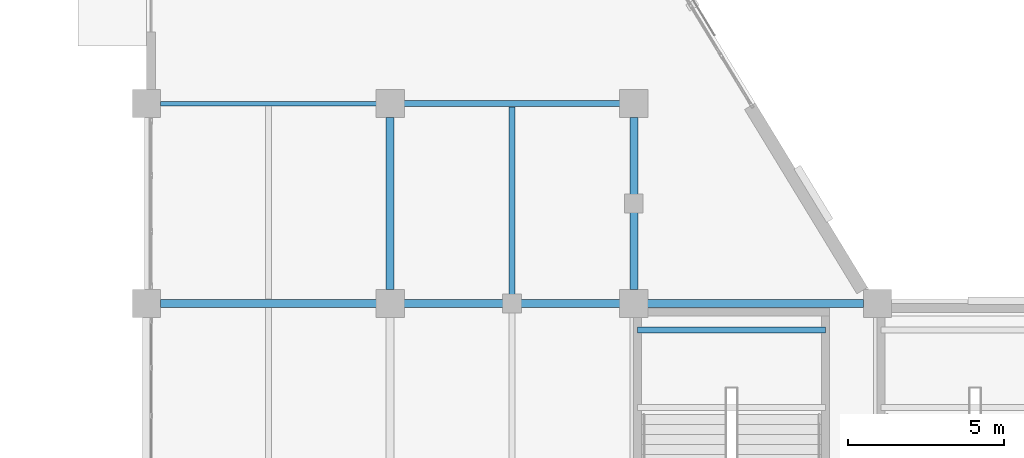
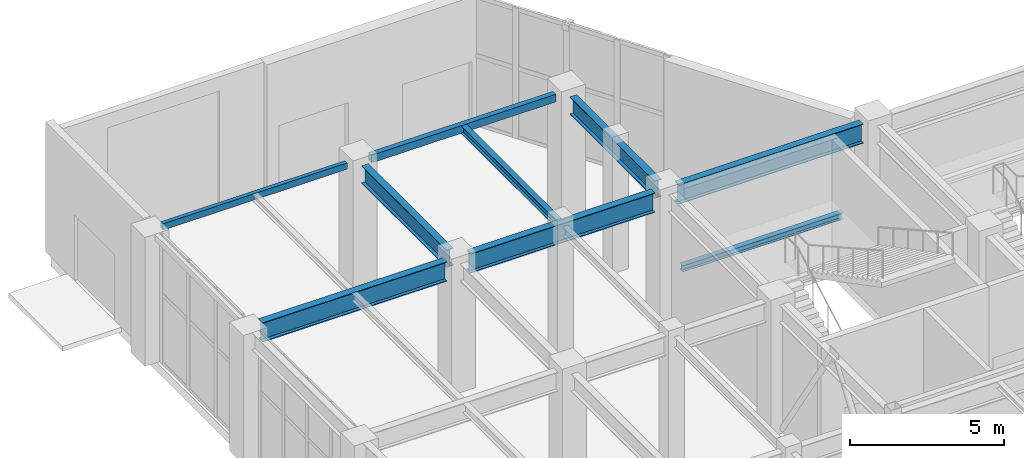
# One storey, part 98 of 139: 9 beams.
"""IFC4 building model written with IfcOpenShell, lengths in metres."""

from ifc_helpers import new_model, si_unit, direction, frame, origin, origin_2d, place, context, subcontext, project, spatial, hollow_rectangle, i_section, extrude, material, material_profile, profile_set, type_object, element, save


model = new_model("IFC4")

# Units and contexts
model_context = context("Model", 3, precision=1e-05, world=origin(), true_north=direction((0.0, 1.0)))
body_context = subcontext(model_context, "Body", "Model", "MODEL_VIEW")
ifc_project = project(units=[si_unit("LENGTHUNIT", "METRE"), si_unit("AREAUNIT", "SQUARE_METRE"), si_unit("VOLUMEUNIT", "CUBIC_METRE"), si_unit("PLANEANGLEUNIT", "RADIAN"), si_unit("MASSUNIT", "GRAM", prefix="KILO")], contexts=[model_context])

# Site, building, storey
site_placement = place(None, origin())
site = spatial("IfcSite", under=ifc_project, at=site_placement, CompositionType="ELEMENT")
building_placement = place(site_placement, origin())
building = spatial("IfcBuilding", under=site, at=building_placement, Name="Xicomal Pleat Aquarium", CompositionType="ELEMENT")
storey_placement = place(building_placement, origin())
storey = spatial("IfcBuildingStorey", under=building, at=storey_placement, Name="L01", CompositionType="ELEMENT", Elevation=0.0)

# Beams
ifc_material_1 = material(Name="Structural steel A992 Gr 50", Category="steel")
ifc_material_profile_1 = material_profile(ifc_material_1, i_section(OverallWidth=0.201904296875, OverallDepth=0.2470703125, WebThickness=0.00732421875, FlangeThickness=0.010986328125, at=origin_2d()), Name="IR 250x49")
ifc_profile_set_1 = profile_set([ifc_material_profile_1], Name="Structural steel A992 Gr 50")
beam_type_1 = type_object("IfcBeamType", Name="BM-STL-IR250", PredefinedType="JOIST", material=ifc_profile_set_1)
beam_1_placement = place(storey_placement, frame((141.719970703125, 97.550048828125, 2.37890625), z_axis=(1.0, 0.0, 0.0), x_axis=(0.0, 1.0, 0.0)))
element("IfcBeam", 1, at=beam_1_placement, inside=storey, type_object=beam_type_1, Name="ST-05-L01 half-landing bearer beam 1", PredefinedType="JOIST", context=body_context, shape_type="SweptSolid", body=[
    extrude(i_section(OverallWidth=0.201904296875, OverallDepth=0.2470703125, WebThickness=0.00732421875, FlangeThickness=0.010986328125, at=origin_2d()), origin(), (0.0, 0.0, 1.0), 6.02001953125),
])
ifc_material_2 = material(Name="Structural steel A992 Gr 50", Category="steel")
ifc_material_profile_2 = material_profile(ifc_material_2, i_section(OverallWidth=0.202880859375, OverallDepth=0.302978515625, WebThickness=0.007568359375, FlangeThickness=0.01318359375, at=origin_2d()), Name="IR 310x60")
ifc_profile_set_2 = profile_set([ifc_material_profile_2], Name="Structural steel A992 Gr 50")
beam_type_2 = type_object("IfcBeamType", Name="BM-STL-IR310", PredefinedType="JOIST", material=ifc_profile_set_2)
beam_2_placement = place(storey_placement, frame((137.699951171875, 98.537109375, 4.948486328125), z_axis=(0.0, 1.0, 0.0), x_axis=(-1.0, 0.0, 0.0)))
element("IfcBeam", 2, at=beam_2_placement, inside=storey, type_object=beam_type_2, Name="L01 framing beam FBJ-L01-17-P-1", PredefinedType="JOIST", context=body_context, shape_type="SweptSolid", body=[
    extrude(i_section(OverallWidth=0.202880859375, OverallDepth=0.302978515625, WebThickness=0.007568359375, FlangeThickness=0.01318359375, at=origin_2d()), origin(), (0.0, 0.0, 1.0), 6.159912109375),
])
ifc_material_3 = material(Name="Structural steel A992 Gr 50", Category="steel")
ifc_material_profile_3 = material_profile(ifc_material_3, i_section(OverallWidth=0.256103515625, OverallDepth=0.693115234375, WebThickness=0.014404296875, FlangeThickness=0.023681640625, at=origin_2d()), Name="IR 690x170")
ifc_profile_set_3 = profile_set([ifc_material_profile_3], Name="Structural steel A992 Gr 50")
beam_type_3 = type_object("IfcBeamType", Name="BM-STL-IR690", PredefinedType="BEAM", material=ifc_profile_set_3)
for number, where, z_axis, x_axis, name in (
    (3, (133.800048828125, 98.844970703125, 4.75341796875), (0.0, 1.0, 0.0), (-1.0, 0.0, 0.0), "L01 framing beam FGY-L01-17-P-Q"),
    (4, (141.60009765625, 98.844970703125, 4.75341796875), (0.0, 1.0, 0.0), (-1.0, 0.0, 0.0), "L01 framing beam FGY-L01-18-P-Q"),
):
    element("IfcBeam", number, at=place(storey_placement, frame(where, z_axis=z_axis, x_axis=x_axis)), inside=storey, type_object=beam_type_3, Name=name, PredefinedType="BEAM", context=body_context, shape_type="SweptSolid", body=[
        extrude(i_section(OverallWidth=0.256103515625, OverallDepth=0.693115234375, WebThickness=0.014404296875, FlangeThickness=0.023681640625, at=origin_2d()), origin(), (0.0, 0.0, 1.0), 5.510009765625),
    ])
ifc_material_4 = material(Name="Structural steel A992 Gr 50", Category="steel")
ifc_material_profile_4 = material_profile(ifc_material_4, i_section(OverallWidth=0.26806640625, OverallDepth=0.77001953125, WebThickness=0.015625, FlangeThickness=0.025390625, at=origin_2d()), Name="IR 760x196")
ifc_profile_set_4 = profile_set([ifc_material_profile_4], Name="Structural steel A992 Gr 50")
beam_type_4 = type_object("IfcBeamType", Name="BM-STL-IR760", PredefinedType="BEAM", material=ifc_profile_set_4)
for number, where, z_axis, x_axis, name in (
    (5, (126.445068359375, 98.39990234375, 4.715087890625), (1.0, 0.0, 0.0), (0.0, 1.0, 0.0), "L01 framing beam FGX-L01-16-17-P"),
    (6, (134.2451171875, 98.39990234375, 4.715087890625), (1.0, 0.0, 0.0), (0.0, 1.0, 0.0), "L01 framing beam FGX-L01-17-18-P"),
):
    element("IfcBeam", number, at=place(storey_placement, frame(where, z_axis=z_axis, x_axis=x_axis)), inside=storey, type_object=beam_type_4, Name=name, PredefinedType="BEAM", context=body_context, shape_type="SweptSolid", body=[
        extrude(i_section(OverallWidth=0.26806640625, OverallDepth=0.77001953125, WebThickness=0.015625, FlangeThickness=0.025390625, at=origin_2d()), origin(), (0.0, 0.0, 1.0), 6.909912109375),
    ])
beam_3_placement = place(storey_placement, frame((142.044921875, 98.39990234375, 4.715087890625), z_axis=(1.0, 0.0, 0.0), x_axis=(0.0, 1.0, 0.0)))
element("IfcBeam", 7, at=beam_3_placement, inside=storey, type_object=beam_type_4, Name="L01 framing beam FGX-L01-18-19-P", PredefinedType="BEAM", context=body_context, shape_type="SweptSolid", body=[
    extrude(i_section(OverallWidth=0.26806640625, OverallDepth=0.77001953125, WebThickness=0.015625, FlangeThickness=0.025390625, at=origin_2d()), origin(), (0.0, 0.0, 1.0), 6.91015625),
])
ifc_material_5 = material(Name="Structural steel A500 Gr C", Category="steel")
ifc_material_profile_5 = material_profile(ifc_material_5, hollow_rectangle(XDim=0.14990234375, YDim=0.25, WallThickness=0.010009765625, at=origin_2d()), Name="OR 250x150x10")
ifc_profile_set_5 = profile_set([ifc_material_profile_5], Name="Structural steel A500 Gr C")
beam_type_5 = type_object("IfcBeamType", Name="BM-STL-OR250", PredefinedType="SPANDREL", material=ifc_profile_set_5)
beam_4_placement = place(storey_placement, frame((126.445068359375, 104.800048828125, 4.97509765625), z_axis=(1.0, 0.0, 0.0), x_axis=(0.0, 1.0, 0.0)))
element("IfcBeam", 8, at=beam_4_placement, inside=storey, type_object=beam_type_5, Name="L01 framing beam FGX-L01-16-17-Q", PredefinedType="SPANDREL", context=body_context, shape_type="SweptSolid", body=[
    extrude(hollow_rectangle(XDim=0.14990234375, YDim=0.25, WallThickness=0.010009765625, at=origin_2d()), origin(), (0.0, 0.0, 1.0), 6.909912109375),
])
ifc_material_6 = material(Name="Structural steel A500 Gr C", Category="steel")
ifc_material_profile_6 = material_profile(ifc_material_6, hollow_rectangle(XDim=0.199951171875, YDim=0.300048828125, WallThickness=0.011962890625, at=origin_2d()), Name="OR 300x200x12")
ifc_profile_set_6 = profile_set([ifc_material_profile_6], Name="Structural steel A500 Gr C")
beam_type_6 = type_object("IfcBeamType", Name="BM-STL-OR300", PredefinedType="SPANDREL", material=ifc_profile_set_6)
beam_5_placement = place(storey_placement, frame((134.2451171875, 104.800048828125, 4.949951171875), z_axis=(1.0, 0.0, 0.0), x_axis=(0.0, 1.0, 0.0)))
element("IfcBeam", 9, at=beam_5_placement, inside=storey, type_object=beam_type_6, Name="L01 framing beam FGX-L01-17-18-Q", PredefinedType="SPANDREL", context=body_context, shape_type="SweptSolid", body=[
    extrude(hollow_rectangle(XDim=0.199951171875, YDim=0.300048828125, WallThickness=0.011962890625, at=origin_2d()), origin(), (0.0, 0.0, 1.0), 6.909912109375),
])

save(model, "model.ifc")
